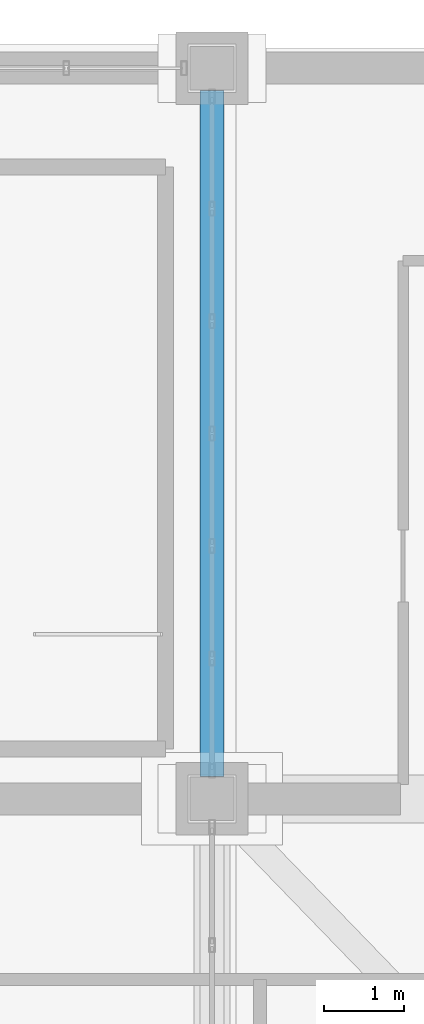
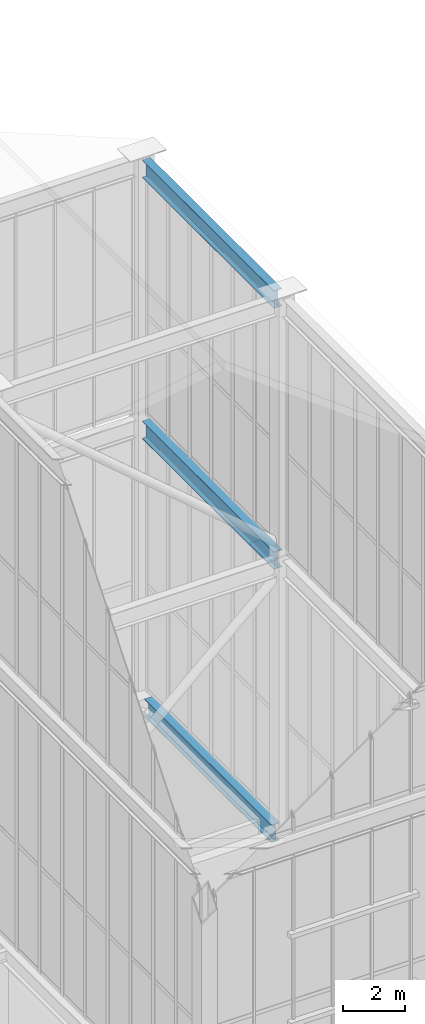
# One storey, part 24 of 135: 3 beams.
"""IFC4 building model written with IfcOpenShell, lengths in metres."""

from ifc_helpers import new_model, si_unit, direction, frame, origin, origin_2d, place, context, subcontext, project, spatial, i_section, extrude, source, transform, mapped, material, material_profile, profile_set, type_object, element, save


model = new_model("IFC4")

# Units and contexts
model_context = context("Model", 3, precision=1e-05, world=origin(), true_north=direction((0.0, 1.0)))
body_context = subcontext(model_context, "Body", "Model", "MODEL_VIEW")
ifc_project = project(units=[si_unit("LENGTHUNIT", "METRE"), si_unit("AREAUNIT", "SQUARE_METRE"), si_unit("VOLUMEUNIT", "CUBIC_METRE"), si_unit("PLANEANGLEUNIT", "RADIAN"), si_unit("MASSUNIT", "GRAM", prefix="KILO")], contexts=[model_context])

# Site, building, storey
site_placement = place(None, origin())
site = spatial("IfcSite", under=ifc_project, at=site_placement, CompositionType="ELEMENT")
building_placement = place(site_placement, origin())
building = spatial("IfcBuilding", under=site, at=building_placement, Name="Giltprow Tower", CompositionType="ELEMENT")
storey_placement = place(building_placement, frame((0.0, 0.0, 352.699951171875)))
storey = spatial("IfcBuildingStorey", under=building, at=storey_placement, Name="L92", CompositionType="ELEMENT", Elevation=352.699951171875)

# Beams
ifc_material = material(Name="Structural steel Q355B", Category="steel")
ifc_material_profile_1 = material_profile(ifc_material, i_section(OverallWidth=0.300048828125, OverallDepth=0.699951171875, WebThickness=0.012939453125, FlangeThickness=0.02392578125, at=origin_2d()), Name="HN 700x300x13x24")
ifc_profile_set_1 = profile_set([ifc_material_profile_1], Name="Structural steel Q355B")
beam_type_1 = type_object("IfcBeamType", Name="BM-GIRD-HN700", PredefinedType="BEAM", material=ifc_profile_set_1)
shared_shape_1 = source(origin(), body_context, "Body", "SweptSolid", [
    extrude(i_section(OverallWidth=0.300048828125, OverallDepth=0.699951171875, WebThickness=0.012939453125, FlangeThickness=0.02392578125, at=origin_2d()), origin(), (0.0, 0.0, 1.0), 8.22998046875),
])
beam_placement = place(storey_placement, frame((30.800048828125, 37.885009765625, 5.81005859375), z_axis=(0.0, 1.0, 0.0), x_axis=(-1.0, 0.0, 0.0)))
element("IfcBeam", 1, at=beam_placement, inside=storey, type_object=beam_type_1, Name="L92 Core Tie Girder M1", PredefinedType="BEAM", context=body_context, shape_type="MappedRepresentation", body=[
    mapped(shared_shape_1, transform((0.0, 0.0, 0.0), x_axis=(1.0, 0.0, 0.0), y_axis=(0.0, 1.0, 0.0), z_axis=(0.0, 0.0, 1.0), scale=1.0)),
])
ifc_material_profile_2 = material_profile(ifc_material, i_section(OverallWidth=0.300048828125, OverallDepth=0.699951171875, WebThickness=0.012939453125, FlangeThickness=0.02392578125, at=origin_2d()), Name="HN 700x300x13x24")
ifc_profile_set_2 = profile_set([ifc_material_profile_2], Name="Structural steel Q355B")
beam_type_2 = type_object("IfcBeamType", Name="BM-CRN-RING-HN700", PredefinedType="BEAM", material=ifc_profile_set_2)
shared_shape_2 = source(origin(), body_context, "Body", "SweptSolid", [
    extrude(i_section(OverallWidth=0.300048828125, OverallDepth=0.699951171875, WebThickness=0.012939453125, FlangeThickness=0.02392578125, at=origin_2d()), origin(), (0.0, 0.0, 1.0), 8.5400390625),
])
for number, where, z_axis, x_axis, name in (
    (2, (30.800048828125, 37.72998046875, 16.699951171875), (0.0, 1.0, 0.0), (-1.0, 0.0, 0.0), "Crown Frame West Ring Beam 1-3"),
    (3, (30.800048828125, 37.72998046875, 27.01708984375), (0.0, 1.0, 0.0), (-1.0, 0.0, 0.0), "Crown Frame West Ring Beam 2-3"),
):
    element("IfcBeam", number, at=place(storey_placement, frame(where, z_axis=z_axis, x_axis=x_axis)), inside=storey, type_object=beam_type_2, Name=name, PredefinedType="BEAM", context=body_context, shape_type="MappedRepresentation", body=[
        mapped(shared_shape_2, transform((0.0, 0.0, 0.0), x_axis=(1.0, 0.0, 0.0), y_axis=(0.0, 1.0, 0.0), z_axis=(0.0, 0.0, 1.0), scale=1.0)),
    ])

save(model, "model.ifc")
